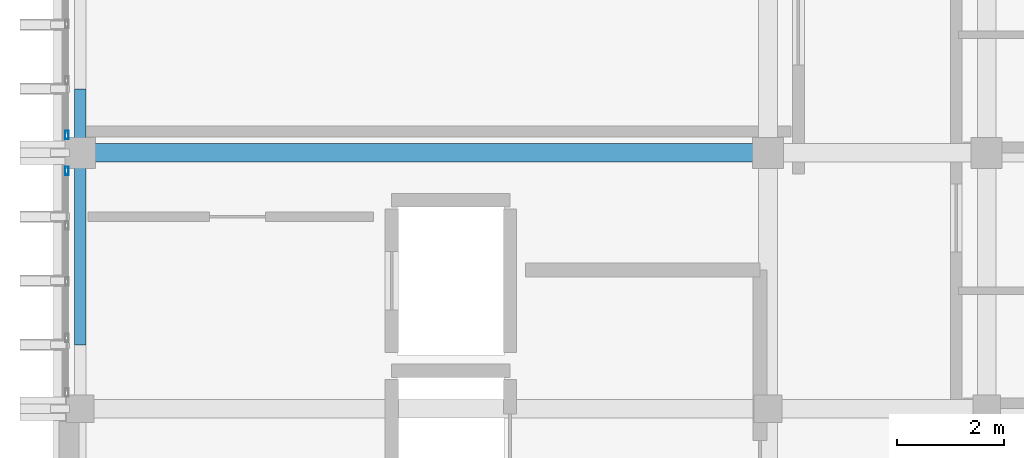
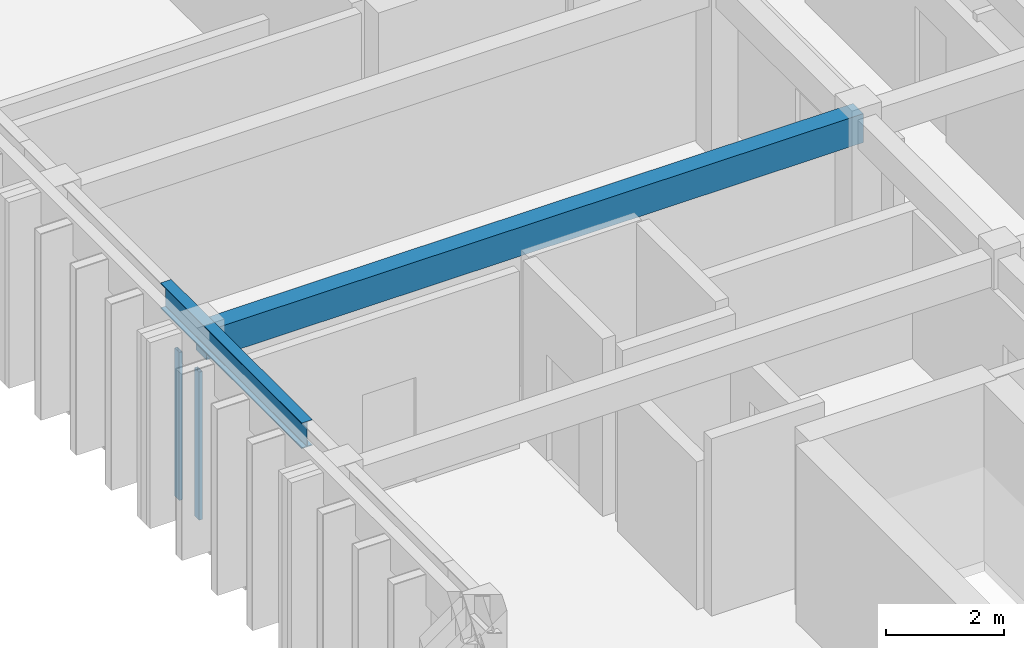
# One storey, part 13 of 49: 2 beams, 2 members, 2 elements without a shape of their own.
"""IFC4 building model written with IfcOpenShell, lengths in metres."""

from ifc_helpers import new_model, si_unit, direction, frame, origin, origin_2d, place, context, subcontext, project, spatial, rectangle, hollow_rectangle, i_section, extrude, material, layer, layer_set, material_profile, profile_set, type_object, element, aggregate, save


model = new_model("IFC4")

# Units and contexts
model_context = context("Model", 3, precision=1e-05, world=origin(), true_north=direction((0.0, 1.0)))
body_context = subcontext(model_context, "Body", "Model", "MODEL_VIEW")
ifc_project = project(units=[si_unit("LENGTHUNIT", "METRE"), si_unit("AREAUNIT", "SQUARE_METRE"), si_unit("VOLUMEUNIT", "CUBIC_METRE"), si_unit("PLANEANGLEUNIT", "RADIAN"), si_unit("MASSUNIT", "GRAM", prefix="KILO")], contexts=[model_context])

# Site, building, storey
site_placement = place(None, origin())
site = spatial("IfcSite", under=ifc_project, at=site_placement, CompositionType="ELEMENT")
building_placement = place(site_placement, origin())
building = spatial("IfcBuilding", under=site, at=building_placement, Name="Nakhvara Creek Congress Hotel", CompositionType="ELEMENT")
storey_placement = place(building_placement, frame((0.0, 0.0, 46.5)))
storey = spatial("IfcBuildingStorey", under=building, at=storey_placement, Name="L11", CompositionType="ELEMENT", Elevation=46.5)

# Beams
ifc_material_1 = material(Name="Concrete C40/50", Category="concrete")
ifc_material_profile_1 = material_profile(ifc_material_1, rectangle(XDim=0.35009765625, YDim=0.60009765625, at=origin_2d()), Name="RC-BM 350x600", Category="LoadBearing")
ifc_profile_set_1 = profile_set([ifc_material_profile_1], Name="Concrete C40/50")
beam_type_1 = type_object("IfcBeamType", Name="BM-RC-350X600", PredefinedType="BEAM", material=ifc_profile_set_1)
beam_1_placement = place(storey_placement, frame((149.449951171875, 96.0, 3.3798828125), z_axis=(1.0, 0.0, 0.0), x_axis=(0.0, 1.0, 0.0)))
element("IfcBeam", 1, at=beam_1_placement, inside=storey, type_object=beam_type_1, Name="Beam B07-L11-2723", PredefinedType="BEAM", context=body_context, shape_type="SweptSolid", body=[
    extrude(rectangle(XDim=0.35009765625, YDim=0.60009765625, at=origin_2d()), origin(), (0.0, 0.0, 1.0), 12.900146484375),
])
ifc_material_2 = material(Name="Steel S355J2", Category="steel")
ifc_material_profile_2 = material_profile(ifc_material_2, i_section(OverallWidth=0.209228515625, OverallDepth=0.533203125, WebThickness=0.010009765625, FlangeThickness=0.015625, FilletRadius=0.0126953125, at=origin_2d()), Name="UB 533x210x92", Category="LoadBearing")
ifc_profile_set_2 = profile_set([ifc_material_profile_2], Name="Steel S355J2")
beam_type_2 = type_object("IfcBeamType", Name="BM-ST-UB533", PredefinedType="BEAM", material=ifc_profile_set_2)
beam_2_placement = place(storey_placement, frame((149.449951171875, 92.39990234375, 3.6201171875), z_axis=(0.0, 1.0, 0.0), x_axis=(-1.0, 0.0, 0.0)))
element("IfcBeam", 2, at=beam_2_placement, inside=storey, type_object=beam_type_2, Name="Hotel Gable Eave Beam W-05", PredefinedType="BEAM", context=body_context, shape_type="SweptSolid", body=[
    extrude(i_section(OverallWidth=0.209228515625, OverallDepth=0.533203125, WebThickness=0.010009765625, FlangeThickness=0.015625, FilletRadius=0.0126953125, at=origin_2d()), origin(), (0.0, 0.0, 1.0), 4.800048828125),
])

# Curtain wall, member
ifc_material_3 = material(Name="Bronze-anodised aluminium AW-6063-T6 and double-silver low-E glass", Category="aluminium")
ifc_layer = layer(ifc_material_3, 0.199951171875)
ifc_layer_set = layer_set([ifc_layer], Name="Bronze-anodised aluminium AW-6063-T6 and double-silver low-E glass")
curtain_wall_type = type_object("IfcCurtainWallType", Name="CW-HTL-UNIT", PredefinedType="USERDEFINED", material=ifc_layer_set)
curtain_wall_1_placement = place(storey_placement, origin())
curtain_wall_1 = element("IfcCurtainWall", 3, at=curtain_wall_1_placement, inside=storey, type_object=curtain_wall_type, Name="Curtain Wall CW339", ObjectType="UNITISED", PredefinedType="USERDEFINED")
ifc_material_4 = material(Name="Bronze-anodised aluminium AW-6063-T6", Category="aluminium")
ifc_material_profile_3 = material_profile(ifc_material_4, hollow_rectangle(XDim=0.06494140625, YDim=0.159912109375, WallThickness=0.00390625, at=origin_2d()), Name="ALU-MULL 65x160x4", Category="LoadBearing")
ifc_profile_set_3 = profile_set([ifc_material_profile_3], Name="Bronze-anodised aluminium AW-6063-T6")
member_type = type_object("IfcMemberType", Name="CW-MULL-160", PredefinedType="MULLION", material=ifc_profile_set_3)
member_1_placement = place(storey_placement, frame((149.199951171875, 95.66259765625, 0.0), z_axis=(0.0, 0.0, 1.0), x_axis=(-1.0, 0.0, 0.0)))
member_1 = element("IfcMember", 4, at=member_1_placement, type_object=member_type, Name="CW339 mullion 5", PredefinedType="MULLION", context=body_context, shape_type="SweptSolid", body=[
    extrude(hollow_rectangle(XDim=0.06494140625, YDim=0.159912109375, WallThickness=0.00390625, at=origin_2d()), origin(), (0.0, 0.0, 1.0), 3.072021484375),
])
aggregate(curtain_wall_1, [member_1])

curtain_wall_2_placement = place(storey_placement, origin())
curtain_wall_2 = element("IfcCurtainWall", 5, at=curtain_wall_2_placement, inside=storey, type_object=curtain_wall_type, Name="Curtain Wall CW341", ObjectType="UNITISED", PredefinedType="USERDEFINED")
member_2_placement = place(storey_placement, frame((149.199951171875, 96.33740234375, 0.0), z_axis=(0.0, 0.0, 1.0), x_axis=(-1.0, 0.0, 0.0)))
member_2 = element("IfcMember", 6, at=member_2_placement, type_object=member_type, Name="CW341 mullion 1", PredefinedType="MULLION", context=body_context, shape_type="SweptSolid", body=[
    extrude(hollow_rectangle(XDim=0.06494140625, YDim=0.159912109375, WallThickness=0.00390625, at=origin_2d()), origin(), (0.0, 0.0, 1.0), 3.072021484375),
])
aggregate(curtain_wall_2, [member_2])

save(model, "model.ifc")
